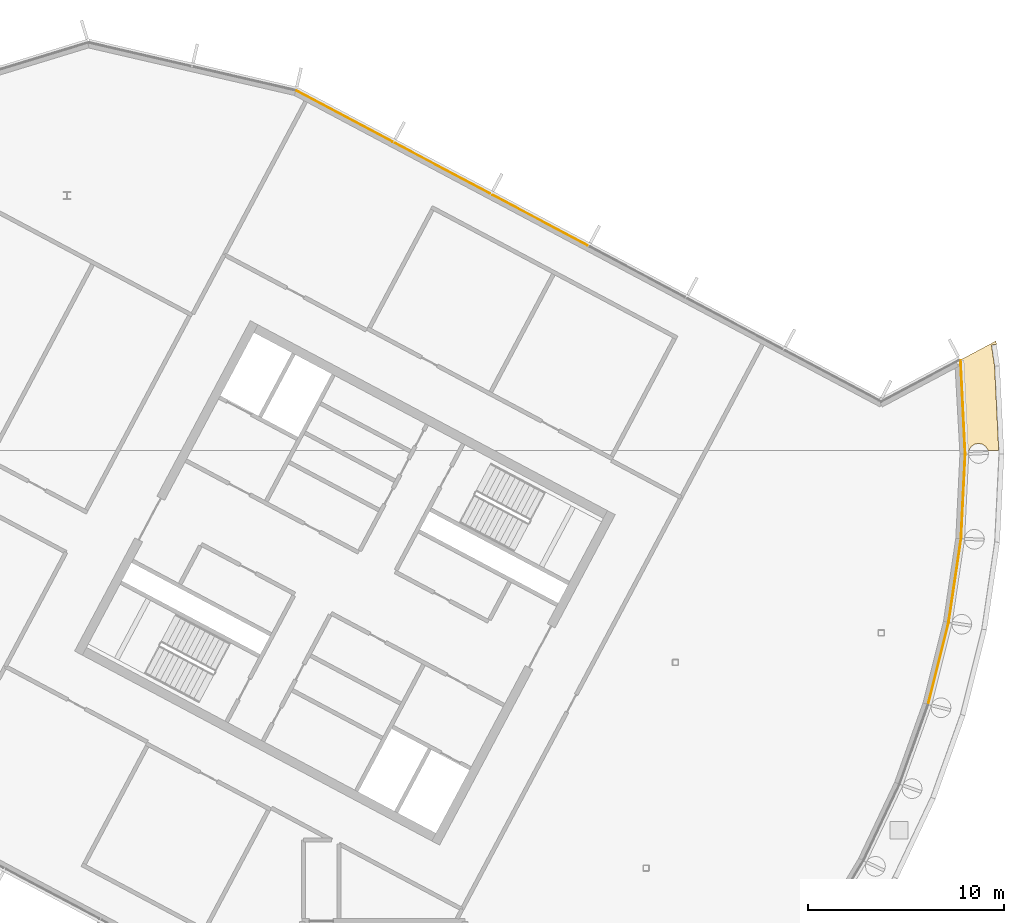
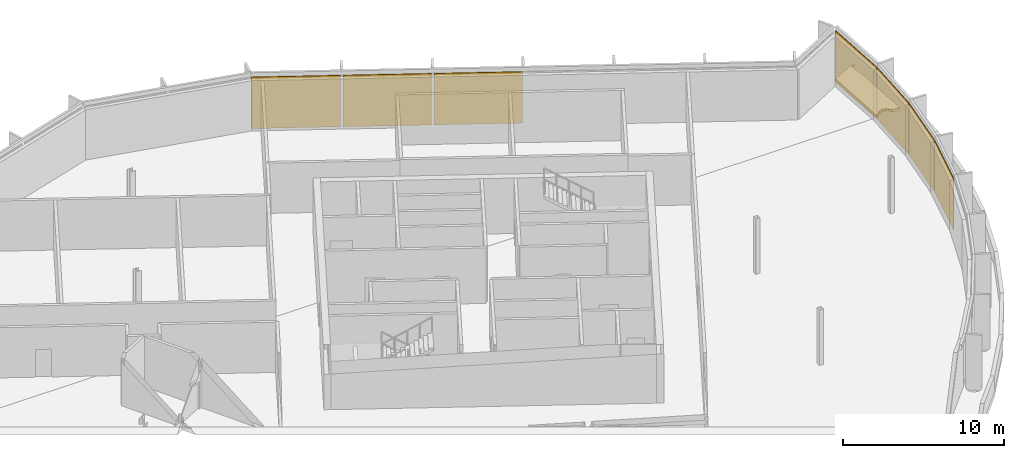
# One storey, part 15 of 15: 8 coverings, 5 elements without a shape of their own.
"""IFC4 building model written with IfcOpenShell, lengths in metres."""

from ifc_helpers import new_model, si_unit, direction, frame, origin, origin_2d, place, context, subcontext, project, spatial, polyline, rectangle, outline, extrude, material, layer, layer_set, type_object, element, aggregate, save


model = new_model("IFC4")

# Units and contexts
model_context = context("Model", 3, precision=1e-05, world=origin(), true_north=direction((0.0, 1.0)))
body_context = subcontext(model_context, "Body", "Model", "MODEL_VIEW")
ifc_project = project(units=[si_unit("LENGTHUNIT", "METRE"), si_unit("AREAUNIT", "SQUARE_METRE"), si_unit("VOLUMEUNIT", "CUBIC_METRE"), si_unit("PLANEANGLEUNIT", "RADIAN"), si_unit("MASSUNIT", "GRAM", prefix="KILO")], contexts=[model_context])

# Site, building, storey
site_placement = place(None, origin())
site = spatial("IfcSite", under=ifc_project, at=site_placement, CompositionType="ELEMENT")
building_placement = place(site_placement, origin())
building = spatial("IfcBuilding", under=site, at=building_placement, Name="Cormorant Relay Tower", CompositionType="ELEMENT")
storey_placement = place(building_placement, frame((0.0, 0.0, 332.39990234375)))
storey = spatial("IfcBuildingStorey", under=building, at=storey_placement, Name="C2", CompositionType="ELEMENT", Elevation=332.39990234375)

# Curtain wall, covering
ifc_material_1 = material(Name="Aluminium 6063-T6 anodised bronze", Category="aluminium")
ifc_layer_1 = layer(ifc_material_1, 0.199951171875)
ifc_layer_set_1 = layer_set([ifc_layer_1], Name="CW3 crown screen wall")
curtain_wall_type = type_object("IfcCurtainWallType", Name="CW3 crown screen wall", PredefinedType="NOTDEFINED", material=ifc_layer_set_1)
curtain_wall_1_placement = place(storey_placement, origin())
curtain_wall_1 = element("IfcCurtainWall", 1, at=curtain_wall_1_placement, inside=storey, type_object=curtain_wall_type, Name="CW3 curtain wall 9", PredefinedType="NOTDEFINED")
ifc_material_2 = material(Name="Perforated bronze anodised aluminium screen", Category="aluminium")
ifc_layer_2 = layer(ifc_material_2, 0.0400390625)
ifc_layer_set_2 = layer_set([ifc_layer_2], Name="CW3 perforated bronze screen panel 40")
covering_type_1 = type_object("IfcCoveringType", Name="CW3 perforated bronze screen panel 40", PredefinedType="CLADDING", material=ifc_layer_set_2)
covering_1_placement = place(storey_placement, frame((2.92578125, 10.4794921875, 0.000244140625), z_axis=(0.0, 0.0, 1.0), x_axis=(0.242980179903, 0.970031253195, 0.0)))
covering_1 = element("IfcCovering", 2, at=covering_1_placement, type_object=covering_type_1, Name="CW3 panel X00", PredefinedType="CLADDING", context=body_context, shape_type="SweptSolid", body=[
    extrude(rectangle(XDim=4.242919921875, YDim=0.0400390625, at=origin_2d()), origin(), (0.0, 0.0, 1.0), 3.89990234375),
])
aggregate(curtain_wall_1, [covering_1])

curtain_wall_2_placement = place(storey_placement, origin())
curtain_wall_2 = element("IfcCurtainWall", 3, at=curtain_wall_2_placement, inside=storey, type_object=curtain_wall_type, Name="CW3 curtain wall 10", PredefinedType="NOTDEFINED")
covering_2_placement = place(storey_placement, frame((3.763916015625, 14.7119140625, 0.000244140625), z_axis=(0.0, 0.0, 1.0), x_axis=(0.146730474455, 0.989176509965, 0.0)))
covering_2 = element("IfcCovering", 4, at=covering_2_placement, type_object=covering_type_1, Name="CW3 panel X00", PredefinedType="CLADDING", context=body_context, shape_type="SweptSolid", body=[
    extrude(rectangle(XDim=4.242919921875, YDim=0.0400390625, at=origin_2d()), origin(), (0.0, 0.0, 1.0), 3.89990234375),
])
aggregate(curtain_wall_2, [covering_2])

curtain_wall_3_placement = place(storey_placement, origin())
curtain_wall_3 = element("IfcCurtainWall", 5, at=curtain_wall_3_placement, inside=storey, type_object=curtain_wall_type, Name="CW3 curtain wall 11", PredefinedType="NOTDEFINED")
covering_3_placement = place(storey_placement, frame((4.18310546875, 19.00634765625, 0.000244140625), z_axis=(0.0, 0.0, 1.0), x_axis=(0.049067674327, 0.998795456205, 0.0)))
covering_3 = element("IfcCovering", 6, at=covering_3_placement, type_object=covering_type_1, Name="CW3 panel X00", PredefinedType="CLADDING", context=body_context, shape_type="SweptSolid", body=[
    extrude(rectangle(XDim=4.242919921875, YDim=0.0400390625, at=origin_2d()), origin(), (0.0, 0.0, 1.0), 3.89990234375),
])
aggregate(curtain_wall_3, [covering_3])

curtain_wall_4_placement = place(storey_placement, origin())
curtain_wall_4 = element("IfcCurtainWall", 7, at=curtain_wall_4_placement, inside=storey, type_object=curtain_wall_type, Name="CW3 curtain wall 12", PredefinedType="NOTDEFINED")
covering_4_placement = place(storey_placement, frame((4.16748046875, 23.565185546875, 0.000244140625), z_axis=(0.0, 0.0, 1.0), x_axis=(-0.049067674327, 0.998795456205, 0.0)))
covering_4 = element("IfcCovering", 8, at=covering_4_placement, type_object=covering_type_1, Name="CW3 panel X00", PredefinedType="CLADDING", context=body_context, shape_type="SweptSolid", body=[
    extrude(rectangle(XDim=4.732177734375, YDim=0.0400390625, at=origin_2d()), origin(), (0.0, 0.0, 1.0), 3.89990234375),
])
aggregate(curtain_wall_4, [covering_4])

# Curtain wall, coverings
curtain_wall_5_placement = place(storey_placement, origin())
curtain_wall_5 = element("IfcCurtainWall", 9, at=curtain_wall_5_placement, inside=storey, type_object=curtain_wall_type, Name="CW3 curtain wall 14", PredefinedType="NOTDEFINED")
covering_5_placement = place(storey_placement, frame((-17.4169921875, 33.0673828125, 0.000244140625), z_axis=(0.0, 0.0, 1.0), x_axis=(-0.882947592859, 0.469471562786, 0.0)))
covering_5 = element("IfcCovering", 10, at=covering_5_placement, type_object=covering_type_1, Name="CW3 panel X03", PredefinedType="CLADDING", context=body_context, shape_type="SweptSolid", body=[
    extrude(rectangle(XDim=5.489013671875, YDim=0.0400390625, at=origin_2d()), origin(), (0.0, 0.0, 1.0), 3.89990234375),
])
covering_6_placement = place(storey_placement, frame((-22.39599609375, 35.714599609375, 0.000244140625), z_axis=(0.0, 0.0, 1.0), x_axis=(-0.882947592859, 0.469471562786, 0.0)))
covering_6 = element("IfcCovering", 11, at=covering_6_placement, type_object=covering_type_1, Name="CW3 panel X04", PredefinedType="CLADDING", context=body_context, shape_type="SweptSolid", body=[
    extrude(rectangle(XDim=5.489013671875, YDim=0.0400390625, at=origin_2d()), origin(), (0.0, 0.0, 1.0), 3.89990234375),
])
covering_7_placement = place(storey_placement, frame((-27.407958984375, 38.379638671875, 0.000244140625), z_axis=(0.0, 0.0, 1.0), x_axis=(-0.882947592859, 0.469471562786, 0.0)))
covering_7 = element("IfcCovering", 12, at=covering_7_placement, type_object=covering_type_1, Name="CW3 panel X05", PredefinedType="CLADDING", context=body_context, shape_type="SweptSolid", body=[
    extrude(rectangle(XDim=5.56396484375, YDim=0.0400390625, at=origin_2d()), origin(), (0.0, 0.0, 1.0), 3.89990234375),
])
aggregate(curtain_wall_5, [covering_5, covering_6, covering_7])

# Covering
ifc_material_3 = material(Name="Bituminous waterproof membrane on mineral wool insulation")
ifc_layer_3 = layer(ifc_material_3, 0.179931640625)
ifc_layer_set_3 = layer_set([ifc_layer_3], Name="Roof membrane and insulation 180")
covering_type_2 = type_object("IfcCoveringType", Name="Roof membrane and insulation 180", PredefinedType="ROOFING", material=ifc_layer_set_3)
covering_8_placement = place(storey_placement, origin())
element("IfcCovering", 13, at=covering_8_placement, inside=storey, type_object=covering_type_2, Name="Roof membrane", PredefinedType="ROOFING", context=body_context, shape_type="SweptSolid", body=[
    extrude(outline(polyline([(4.308837890625, 21.300048828125), (4.0810546875, 25.93994140625), (4.05224609375, 25.9384765625), (5.8583984375, 26.89892578125), (5.8828125, 26.733642578125), (5.625732421875, 26.695556640625), (5.786865234375, 25.609619140625), (5.99853515625, 21.300048828125), (5.448974609375, 21.300048828125), (5.43798828125, 21.355712890625), (5.327392578125, 21.521484375), (5.16162109375, 21.632080078125), (4.966552734375, 21.6708984375), (4.771240234375, 21.632080078125), (4.605712890625, 21.521484375), (4.4951171875, 21.355712890625), (4.48388671875, 21.300048828125), (4.308837890625, 21.300048828125)])), origin(), (0.0, 0.0, 1.0), 0.18017578125),
])

save(model, "model.ifc")
